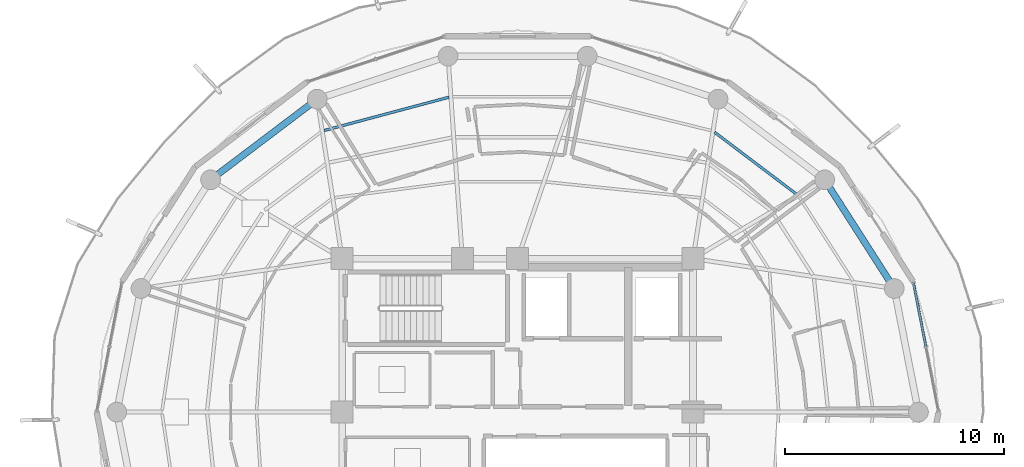
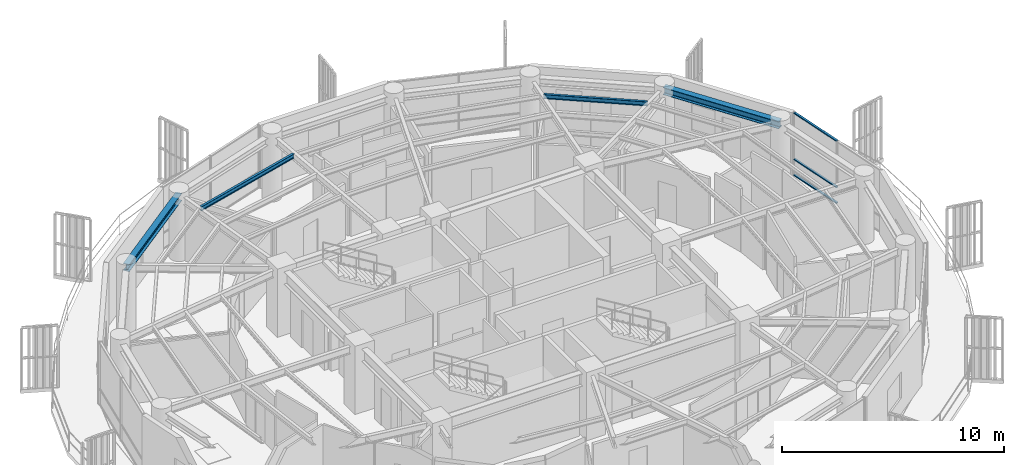
# One storey, part 12 of 23: 4 beams, 3 members, 1 element without a shape of its own.
"""IFC4 building model written with IfcOpenShell, lengths in metres."""

import ifcopenshell
import ifcopenshell.guid

model = None  # the IFC model being written
_history = None  # IfcOwnerHistory: only IFC2X3 demands one
_inside = {}  # id of a spatial element -> (the spatial element, [elements in it])
_under = {}  # id of a project, library or spatial element -> (it, [spatial elements below it])
_declared = {}  # id of a project -> (the project, [libraries it declares])
_typed = {}  # id of a type object -> (the type object, [elements of that type])
_made_of = {}  # id of a material, layer set ... -> (it, [elements and type objects made of it])


def new_model(schema):
    """Start an empty IFC model of exactly this schema.

    Asked for "IFC4X3", IfcOpenShell would pick the latest addendum, in which some entities
    have other attributes; the version numbers below select the first issue.
    IFC2X3 requires an IfcOwnerHistory on every rooted entity: one is made here for all.
    """
    global model, _history
    if schema == "IFC4X3":
        model = ifcopenshell.file(schema_version=(4, 3, 0, 0))
    else:
        model = ifcopenshell.file(schema=schema)
    _inside.clear()
    _under.clear()
    _declared.clear()
    _typed.clear()
    _made_of.clear()
    _history = None
    if model.schema == "IFC2X3":
        org = make("IfcOrganization", Name="unknown")
        user = make(
            "IfcPersonAndOrganization",
            ThePerson=make("IfcPerson", FamilyName="unknown"),
            TheOrganization=org,
        )
        app = make(
            "IfcApplication",
            ApplicationDeveloper=org,
            Version="unknown",
            ApplicationFullName="unknown",
            ApplicationIdentifier="unknown",
        )
        _history = make(
            "IfcOwnerHistory",
            OwningUser=user,
            OwningApplication=app,
            ChangeAction="ADDED",
            CreationDate=0,
        )
    return model


def make(cls, **values):
    """One entity of the class cls with the attributes given. An attribute that is None is left unset."""
    return model.create_entity(
        cls, **{name: value for name, value in values.items() if value is not None}
    )


def rooted(cls, **values):
    """An entity with a GlobalId (a new one), such as an element, a storey or a relation."""
    return make(cls, GlobalId=ifcopenshell.guid.new(), OwnerHistory=_history, **values)


def si_unit(unit_type, name, prefix=None):
    """IfcSIUnit, for example si_unit("LENGTHUNIT", "METRE", prefix="MILLI")."""
    return make("IfcSIUnit", UnitType=unit_type, Prefix=prefix, Name=name)


def assignment(units):
    """IfcUnitAssignment: the units of a project."""
    return None if units is None else make("IfcUnitAssignment", Units=units)


def point(xyz):
    """IfcCartesianPoint."""
    return None if xyz is None else make("IfcCartesianPoint", Coordinates=xyz)


def direction(xyz):
    """IfcDirection."""
    return None if xyz is None else make("IfcDirection", DirectionRatios=xyz)


def frame(location, z_axis=None, x_axis=None):
    """IfcAxis2Placement3D, a coordinate frame: its origin and axes. An axis left out is left unset."""
    return make(
        "IfcAxis2Placement3D",
        Location=point(location),
        Axis=direction(z_axis),
        RefDirection=direction(x_axis),
    )


def frame_2d(location, x_axis=None):
    """IfcAxis2Placement2D, a coordinate frame in the plane: its origin and x axis."""
    return make(
        "IfcAxis2Placement2D", Location=point(location), RefDirection=direction(x_axis)
    )


def origin():
    """The frame at (0, 0, 0) with its axes left unset."""
    return frame((0.0, 0.0, 0.0))


def origin_2d():
    """The frame at (0, 0) in the plane with its x axis left unset."""
    return frame_2d((0.0, 0.0))


def place(relative_to, where):
    """IfcLocalPlacement: puts the frame where relative to a parent placement (None: the world)."""
    return make(
        "IfcLocalPlacement", PlacementRelTo=relative_to, RelativePlacement=where
    )


def context(
    kind, dimensions, precision=None, world=None, true_north=None, identifier=None
):
    """IfcGeometricRepresentationContext, for example the 3D "Model" context."""
    return make(
        "IfcGeometricRepresentationContext",
        ContextIdentifier=identifier,
        ContextType=kind,
        CoordinateSpaceDimension=dimensions,
        Precision=precision,
        WorldCoordinateSystem=world,
        TrueNorth=true_north,
    )


def subcontext(parent, identifier, kind, view, scale=None):
    """IfcGeometricRepresentationSubContext, for example "Body" below "Model"."""
    return make(
        "IfcGeometricRepresentationSubContext",
        ContextIdentifier=identifier,
        ContextType=kind,
        ParentContext=parent,
        TargetScale=scale,
        TargetView=view,
    )


def project(units=None, contexts=None):
    """IfcProject with its units and contexts."""
    return rooted(
        "IfcProject",
        Name="project",
        RepresentationContexts=contexts,
        UnitsInContext=assignment(units),
    )


def spatial(cls, under=None, at=None, **own):
    """A site, building, storey or space (cls), placed at a placement, below another one or the project."""
    s = rooted(cls, ObjectPlacement=at, **own)
    if under is not None:
        _under.setdefault(under.id(), (under, []))[1].append(s)
    return s


def profile(cls, at=None, kind="AREA", **sizes):
    """A parametric profile (cls). Its sizes go by their IFC names, for example OverallWidth=200.0."""
    return make(cls, ProfileType=kind, Position=at, **sizes)


def hollow_rectangle(**sizes):
    """IfcRectangleHollowProfileDef."""
    return profile("IfcRectangleHollowProfileDef", **sizes)


def i_section(**sizes):
    """IfcIShapeProfileDef."""
    return profile("IfcIShapeProfileDef", **sizes)


def extrude(swept, where, along, depth):
    """IfcExtrudedAreaSolid: the profile swept, set in the frame where, extruded along a direction by depth."""
    return make(
        "IfcExtrudedAreaSolid",
        SweptArea=swept,
        Position=where,
        ExtrudedDirection=direction(along),
        Depth=depth,
    )


def shape(context_of_items, identifier, shape_type, items):
    """IfcShapeRepresentation: the items that make up one representation, for example the "Body"."""
    return make(
        "IfcShapeRepresentation",
        ContextOfItems=context_of_items,
        RepresentationIdentifier=identifier,
        RepresentationType=shape_type,
        Items=items,
    )


def material(Name=None, Category=None):
    """IfcMaterial."""
    return make("IfcMaterial", Name=Name, Category=Category)


def layer(
    of_material, thickness, ventilated=None, Name=None, Category=None, Priority=None
):
    """IfcMaterialLayer: one layer of a wall or slab, of a material (None: an air gap)."""
    return make(
        "IfcMaterialLayer",
        Material=of_material,
        LayerThickness=thickness,
        IsVentilated=ventilated,
        Name=Name,
        Category=Category,
        Priority=Priority,
    )


def layer_set(layers, Name=None):
    """IfcMaterialLayerSet."""
    return make("IfcMaterialLayerSet", MaterialLayers=layers, LayerSetName=Name)


def material_profile(
    of_material, cross_section, Name=None, Category=None, Priority=None
):
    """IfcMaterialProfile: a cross section and its material."""
    return make(
        "IfcMaterialProfile",
        Name=Name,
        Material=of_material,
        Profile=cross_section,
        Priority=Priority,
        Category=Category,
    )


def profile_set(profiles, Name=None, composite=None):
    """IfcMaterialProfileSet."""
    return make(
        "IfcMaterialProfileSet",
        Name=Name,
        MaterialProfiles=profiles,
        CompositeProfile=composite,
    )


def made_of(thing, what):
    """Note that an element or type object is made of a material, layer set ...; save() writes the relation."""
    if what is not None:
        _made_of.setdefault(what.id(), (what, []))[1].append(thing)
    return thing


def type_object(cls, material=None, **own):
    """A type object (cls), such as IfcWallType, which elements share."""
    return made_of(rooted(cls, **own), material)


def element(
    cls,
    number,
    at=None,
    inside=None,
    cuts=None,
    type_object=None,
    material=None,
    context=None,
    identifier="Body",
    shape_type=None,
    held_by="IfcProductDefinitionShape",
    body=None,
    shapes=None,
    **own,
):
    """One element of the class cls, such as IfcWall. Its Tag is "e" and its number.

    at: its placement. inside: the storey or other place that contains it. cuts: it is an
    opening in that element (IfcRelVoidsElement). A single representation is given by context,
    identifier, shape_type and body (its items); several are given by shapes. held_by: the class
    of the entity that holds the representations. save() writes the other relations.
    """
    e = rooted(cls, Tag="e%d" % number, ObjectPlacement=at, **own)
    if body is not None:
        shapes = [shape(context, identifier, shape_type, body)]
    if shapes is not None:
        e.Representation = make(held_by, Representations=shapes)
    if inside is not None:
        _inside.setdefault(inside.id(), (inside, []))[1].append(e)
    if cuts is not None:
        rooted(
            "IfcRelVoidsElement", RelatingBuildingElement=cuts, RelatedOpeningElement=e
        )
    if type_object is not None:
        _typed.setdefault(type_object.id(), (type_object, []))[1].append(e)
    return made_of(e, material)


def aggregate(whole, parts):
    """IfcRelAggregates: a whole, such as a stair, and the parts it consists of."""
    return rooted("IfcRelAggregates", RelatingObject=whole, RelatedObjects=parts)


def save(model, path):
    """Write the relations noted so far, then the file.

    IfcRelAggregates (storeys below a building ...), IfcRelContainedInSpatialStructure (elements
    in a storey), IfcRelDefinesByType, IfcRelAssociatesMaterial and IfcRelDeclares: one each for
    every whole, place, type object, material and project.
    """
    for whole, parts in _under.values():
        aggregate(whole, parts)
    for where, things in _inside.values():
        rooted(
            "IfcRelContainedInSpatialStructure",
            RelatedElements=things,
            RelatingStructure=where,
        )
    for kind, things in _typed.values():
        rooted("IfcRelDefinesByType", RelatedObjects=things, RelatingType=kind)
    for what, things in _made_of.values():
        rooted("IfcRelAssociatesMaterial", RelatedObjects=things, RelatingMaterial=what)
    for by, libraries in _declared.values():
        rooted("IfcRelDeclares", RelatingContext=by, RelatedDefinitions=libraries)
    model.write(path)


model = new_model("IFC4")

# Units and contexts
model_context = context("Model", 3, precision=1e-05, world=origin(), true_north=direction((0.0, 1.0)))
body_context = subcontext(model_context, "Body", "Model", "MODEL_VIEW")
ifc_project = project(units=[si_unit("LENGTHUNIT", "METRE"), si_unit("AREAUNIT", "SQUARE_METRE"), si_unit("VOLUMEUNIT", "CUBIC_METRE"), si_unit("PLANEANGLEUNIT", "RADIAN"), si_unit("MASSUNIT", "GRAM", prefix="KILO")], contexts=[model_context])

# Site, building, storey
site_placement = place(None, origin())
site = spatial("IfcSite", under=ifc_project, at=site_placement, CompositionType="ELEMENT")
building_placement = place(site_placement, origin())
building = spatial("IfcBuilding", under=site, at=building_placement, Name="Kelanora Arch Commons", CompositionType="ELEMENT")
storey_placement = place(building_placement, frame((0.0, 0.0, 252.449951171875)))
storey = spatial("IfcBuildingStorey", under=building, at=storey_placement, Name="L64", CompositionType="ELEMENT", Elevation=252.449951171875)

# Beams
ifc_material_1 = material(Name="Steel S355", Category="steel")
ifc_material_profile_1 = material_profile(ifc_material_1, i_section(OverallWidth=0.1201171875, OverallDepth=0.239990234375, WebThickness=0.006103515625, FlangeThickness=0.009765625, FilletRadius=0.014892578125, at=origin_2d()), Name="IPE240")
ifc_profile_set_1 = profile_set([ifc_material_profile_1], Name="Steel S355")
beam_type_1 = type_object("IfcBeamType", Name="BM-JST-02", PredefinedType="JOIST", material=ifc_profile_set_1)
beam_1_placement = place(storey_placement, frame((86.73486328125, 67.92578125, 3.3701171875), z_axis=(-0.79752302984, 0.60328850219, 0.0), x_axis=(-0.60328850219, -0.79752302984, 0.0)))
element("IfcBeam", 1, at=beam_1_placement, inside=storey, type_object=beam_type_1, Name="Secondary Chord Joist BJC-04 L64", PredefinedType="JOIST", context=body_context, shape_type="SweptSolid", body=[
    extrude(i_section(OverallWidth=0.1201171875, OverallDepth=0.239990234375, WebThickness=0.006103515625, FlangeThickness=0.009765625, FilletRadius=0.014892578125, at=origin_2d()), origin(), (0.0, 0.0, 1.0), 4.70849609375),
])
beam_2_placement = place(storey_placement, frame((70.87451171875, 72.36181640625, 3.3701171875), z_axis=(-0.966190312964, -0.257829942278, 0.0), x_axis=(0.257829942278, -0.966190312964, 0.0)))
element("IfcBeam", 2, at=beam_2_placement, inside=storey, type_object=beam_type_1, Name="Secondary Chord Joist BJC-10 L64", PredefinedType="JOIST", context=body_context, shape_type="SweptSolid", body=[
    extrude(i_section(OverallWidth=0.1201171875, OverallDepth=0.239990234375, WebThickness=0.006103515625, FlangeThickness=0.009765625, FilletRadius=0.014892578125, at=origin_2d()), origin(), (0.0, 0.0, 1.0), 5.904052734375),
])
ifc_material_profile_2 = material_profile(ifc_material_1, i_section(OverallWidth=0.300048828125, OverallDepth=0.39990234375, WebThickness=0.013427734375, FlangeThickness=0.02392578125, FilletRadius=0.027099609375, at=origin_2d()), Name="HEB400")
ifc_profile_set_2 = profile_set([ifc_material_profile_2], Name="Steel S355")
beam_type_2 = type_object("IfcBeamType", Name="BM-SPN-Z4", PredefinedType="SPANDREL", material=ifc_profile_set_2)
beam_3_placement = place(storey_placement, frame((91.177490234375, 63.636474609375, 3.2900390625), z_axis=(-0.539280851353, 0.842125978322, 0.0), x_axis=(-0.842125978322, -0.539280851353, 0.0)))
element("IfcBeam", 3, at=beam_3_placement, inside=storey, type_object=beam_type_2, Name="Perimeter Spandrel Beam BS-02 L64", PredefinedType="SPANDREL", context=body_context, shape_type="SweptSolid", body=[
    extrude(i_section(OverallWidth=0.300048828125, OverallDepth=0.39990234375, WebThickness=0.013427734375, FlangeThickness=0.02392578125, FilletRadius=0.027099609375, at=origin_2d()), origin(), (0.0, 0.0, 1.0), 5.8857421875),
])
beam_4_placement = place(storey_placement, frame((64.860107421875, 72.272216796875, 3.2900390625), z_axis=(-0.797509460967, -0.603306439273, 0.0), x_axis=(0.603306439273, -0.797509460967, 0.0)))
element("IfcBeam", 4, at=beam_4_placement, inside=storey, type_object=beam_type_2, Name="Perimeter Spandrel Beam BS-12 L64", PredefinedType="SPANDREL", context=body_context, shape_type="SweptSolid", body=[
    extrude(i_section(OverallWidth=0.300048828125, OverallDepth=0.39990234375, WebThickness=0.013427734375, FlangeThickness=0.02392578125, FilletRadius=0.027099609375, at=origin_2d()), origin(), (0.0, 0.0, 1.0), 6.098388671875),
])

# Curtain wall, members
ifc_material_2 = material(Name="Terracotta ceramic-fritted low-E glass and aluminium", Category="masonry")
ifc_layer = layer(ifc_material_2, 0.18994140625)
ifc_layer_set = layer_set([ifc_layer], Name="Terracotta ceramic-fritted low-E glass and aluminium")
curtain_wall_type = type_object("IfcCurtainWallType", Name="CW-SYS-03", PredefinedType="NOTDEFINED", material=ifc_layer_set)
curtain_wall_placement = place(storey_placement, origin())
curtain_wall = element("IfcCurtainWall", 5, at=curtain_wall_placement, inside=storey, type_object=curtain_wall_type, Name="Unitised Curtain Wall L64-B00", PredefinedType="NOTDEFINED")
ifc_material_3 = material(Name="Powder-coated aluminium terracotta", Category="masonry")
ifc_material_profile_3 = material_profile(ifc_material_3, hollow_rectangle(XDim=0.1201171875, YDim=0.06005859375, WallThickness=0.0048828125, InnerFilletRadius=0.0048828125, OuterFilletRadius=0.010009765625, at=origin_2d()), Name="CWT120x60")
ifc_profile_set_3 = profile_set([ifc_material_profile_3], Name="Powder-coated aluminium terracotta")
member_type = type_object("IfcMemberType", Name="CWT-STD", PredefinedType="USERDEFINED", material=ifc_profile_set_3)
member_1_placement = place(storey_placement, frame((92.615234375, 61.005126953125, 0.030029296875), z_axis=(-0.190963443354, 0.981597149192, 0.0), x_axis=(-0.981597149192, -0.190963443354, 0.0)))
member_1 = element("IfcMember", 6, at=member_1_placement, type_object=member_type, Name="CW-03 transom 2.1", ObjectType="TRANSOM", PredefinedType="USERDEFINED", context=body_context, shape_type="SweptSolid", body=[
    extrude(hollow_rectangle(XDim=0.1201171875, YDim=0.06005859375, WallThickness=0.0048828125, InnerFilletRadius=0.0048828125, OuterFilletRadius=0.010009765625, at=origin_2d()), origin(), (0.0, 0.0, 1.0), 2.926513671875),
])
member_2_placement = place(storey_placement, frame((92.615234375, 61.005126953125, 0.900146484375), z_axis=(-0.190963443354, 0.981597149192, 0.0), x_axis=(-0.981597149192, -0.190963443354, 0.0)))
member_2 = element("IfcMember", 7, at=member_2_placement, type_object=member_type, Name="CW-03 transom 2.2", ObjectType="TRANSOM", PredefinedType="USERDEFINED", context=body_context, shape_type="SweptSolid", body=[
    extrude(hollow_rectangle(XDim=0.1201171875, YDim=0.06005859375, WallThickness=0.0048828125, InnerFilletRadius=0.0048828125, OuterFilletRadius=0.010009765625, at=origin_2d()), origin(), (0.0, 0.0, 1.0), 2.926513671875),
])
member_3_placement = place(storey_placement, frame((92.615234375, 61.005126953125, 3.445068359375), z_axis=(-0.190963443354, 0.981597149192, 0.0), x_axis=(-0.981597149192, -0.190963443354, 0.0)))
member_3 = element("IfcMember", 8, at=member_3_placement, type_object=member_type, Name="CW-03 transom 2.3", ObjectType="TRANSOM", PredefinedType="USERDEFINED", context=body_context, shape_type="SweptSolid", body=[
    extrude(hollow_rectangle(XDim=0.1201171875, YDim=0.06005859375, WallThickness=0.0048828125, InnerFilletRadius=0.0048828125, OuterFilletRadius=0.010009765625, at=origin_2d()), origin(), (0.0, 0.0, 1.0), 2.926513671875),
])
aggregate(curtain_wall, [member_1, member_2, member_3])

save(model, "model.ifc")
